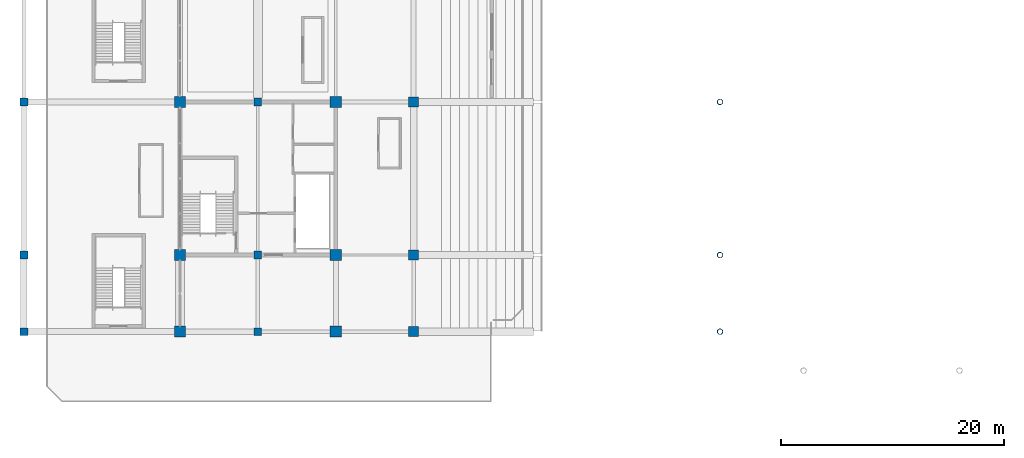
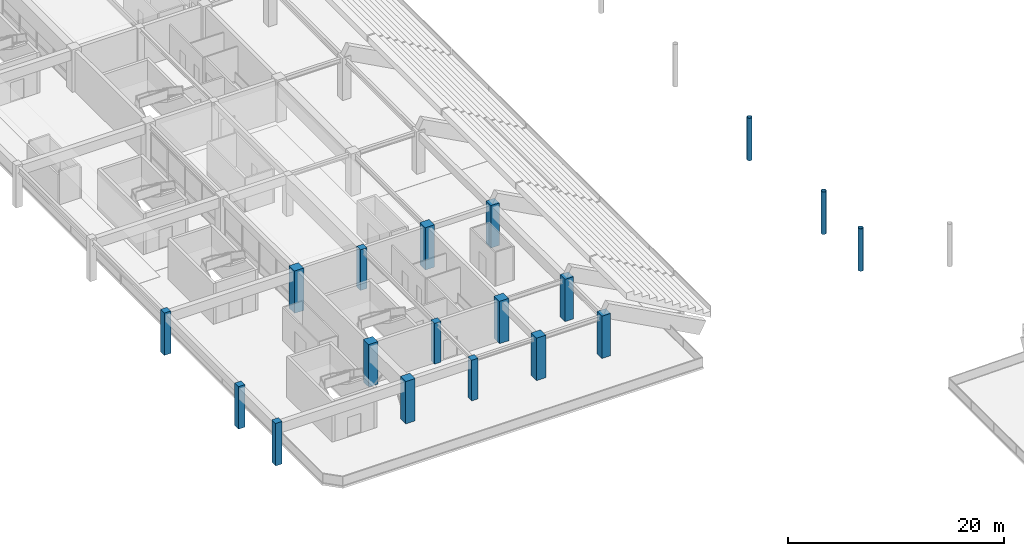
# One storey, part 1 of 94: 18 columns.
"""IFC4 building model written with IfcOpenShell, lengths in metres."""

from ifc_helpers import new_model, si_unit, direction, frame, origin, origin_2d, place, context, subcontext, project, spatial, rectangle, hollow_circle, extrude, material, material_profile, profile_set, type_object, element, save


model = new_model("IFC4")

# Units and contexts
model_context = context("Model", 3, precision=1e-05, world=origin(), true_north=direction((0.0, 1.0)))
body_context = subcontext(model_context, "Body", "Model", "MODEL_VIEW")
ifc_project = project(units=[si_unit("LENGTHUNIT", "METRE"), si_unit("AREAUNIT", "SQUARE_METRE"), si_unit("VOLUMEUNIT", "CUBIC_METRE"), si_unit("PLANEANGLEUNIT", "RADIAN"), si_unit("MASSUNIT", "GRAM", prefix="KILO")], contexts=[model_context])

# Site, building, storey
site_placement = place(None, origin())
site = spatial("IfcSite", under=ifc_project, at=site_placement, CompositionType="ELEMENT")
building_placement = place(site_placement, origin())
building = spatial("IfcBuilding", under=site, at=building_placement, Name="Linyun Crest Stadium", CompositionType="ELEMENT")
storey_placement = place(building_placement, frame((0.0, 0.0, 16.199951171875)))
storey = spatial("IfcBuildingStorey", under=building, at=storey_placement, Name="L04", CompositionType="ELEMENT", Elevation=16.199951171875)

# Columns
ifc_material_1 = material(Name="Concrete C50", Category="concrete")
ifc_material_profile_1 = material_profile(ifc_material_1, rectangle(XDim=0.699951171875, YDim=0.699951171875, at=origin_2d()), Name="RC 700x700")
ifc_profile_set_1 = profile_set([ifc_material_profile_1], Name="Concrete C50")
column_type_1 = type_object("IfcColumnType", Name="C02", PredefinedType="COLUMN", material=ifc_profile_set_1)
for number, where, z_axis, x_axis, name in (
    (1, (-98.0, -46.0, 0.0), (0.0, 0.0, 1.0), (1.0, 0.0, 0.0), "Column C02 L04 5"),
    (2, (-98.0, -39.125, 0.0), (0.0, 0.0, 1.0), (1.0, 0.0, 0.0), "Column C02 L04 11"),
    (3, (-98.0, -25.375, 0.0), (0.0, 0.0, 1.0), (1.0, 0.0, 0.0), "Column C02 L04 17"),
):
    element("IfcColumn", number, at=place(storey_placement, frame(where, z_axis=z_axis, x_axis=x_axis)), inside=storey, type_object=column_type_1, Name=name, PredefinedType="COLUMN", context=body_context, shape_type="SweptSolid", body=[
        extrude(rectangle(XDim=0.699951171875, YDim=0.699951171875, at=origin_2d()), origin(), (0.0, 0.0, 1.0), 4.798095703125),
    ])
for number, where, z_axis, x_axis, name in (
    (4, (-77.0, -46.0, 0.0), (0.0, 0.0, 1.0), (1.0, 0.0, 0.0), "Column C02 L04 109"),
    (5, (-77.0, -39.125, 0.0), (0.0, 0.0, 1.0), (1.0, 0.0, 0.0), "Column C02 L04 114"),
    (6, (-77.0, -25.375, 0.0), (0.0, 0.0, 1.0), (1.0, 0.0, 0.0), "Column C02 L04 119"),
):
    element("IfcColumn", number, at=place(storey_placement, frame(where, z_axis=z_axis, x_axis=x_axis)), inside=storey, type_object=column_type_1, Name=name, PredefinedType="COLUMN", context=body_context, shape_type="SweptSolid", body=[
        extrude(rectangle(XDim=0.699951171875, YDim=0.699951171875, at=origin_2d()), origin(), (0.0, 0.0, 1.0), 4.60009765625),
    ])
ifc_material_2 = material(Name="Concrete C50", Category="concrete")
ifc_material_profile_2 = material_profile(ifc_material_2, rectangle(XDim=0.89990234375, YDim=0.89990234375, at=origin_2d()), Name="RC 900x900")
ifc_profile_set_2 = profile_set([ifc_material_profile_2], Name="Concrete C50")
column_type_2 = type_object("IfcColumnType", Name="C04", PredefinedType="COLUMN", material=ifc_profile_set_2)
for number, where, z_axis, x_axis, name in (
    (7, (-63.0, -46.0, 0.0), (0.0, 0.0, 1.0), (1.0, 0.0, 0.0), "Column C04 L04 205"),
    (8, (-63.0, -39.125, 0.0), (0.0, 0.0, 1.0), (1.0, 0.0, 0.0), "Column C04 L04 210"),
    (9, (-63.0, -25.375, 0.0), (0.0, 0.0, 1.0), (1.0, 0.0, 0.0), "Column C04 L04 215"),
):
    element("IfcColumn", number, at=place(storey_placement, frame(where, z_axis=z_axis, x_axis=x_axis)), inside=storey, type_object=column_type_2, Name=name, PredefinedType="COLUMN", context=body_context, shape_type="SweptSolid", body=[
        extrude(rectangle(XDim=0.89990234375, YDim=0.89990234375, at=origin_2d()), origin(), (0.0, 0.0, 1.0), 4.800048828125),
    ])
ifc_material_3 = material(Name="Concrete C50", Category="concrete")
ifc_material_profile_3 = material_profile(ifc_material_3, rectangle(XDim=1.0, YDim=1.0, at=origin_2d()), Name="RC 1000x1000")
ifc_profile_set_3 = profile_set([ifc_material_profile_3], Name="Concrete C50")
column_type_3 = type_object("IfcColumnType", Name="C05", PredefinedType="COLUMN", material=ifc_profile_set_3)
for number, where, z_axis, x_axis, name in (
    (10, (-84.0, -46.0, 0.0), (0.0, 0.0, 1.0), (1.0, 0.0, 0.0), "Column C05 L04 53"),
    (11, (-84.0, -39.125, 0.0), (0.0, 0.0, 1.0), (1.0, 0.0, 0.0), "Column C05 L04 60"),
    (12, (-84.0, -25.375, 0.0), (0.0, 0.0, 1.0), (1.0, 0.0, 0.0), "Column C05 L04 67"),
    (13, (-70.0, -46.0, 0.0), (0.0, 0.0, 1.0), (1.0, 0.0, 0.0), "Column C05 L04 149"),
    (14, (-70.0, -39.125, 0.0), (0.0, 0.0, 1.0), (1.0, 0.0, 0.0), "Column C05 L04 156"),
    (15, (-70.0, -25.375, 0.0), (0.0, 0.0, 1.0), (1.0, 0.0, 0.0), "Column C05 L04 163"),
):
    element("IfcColumn", number, at=place(storey_placement, frame(where, z_axis=z_axis, x_axis=x_axis)), inside=storey, type_object=column_type_3, Name=name, PredefinedType="COLUMN", context=body_context, shape_type="SweptSolid", body=[
        extrude(rectangle(XDim=1.0, YDim=1.0, at=origin_2d()), origin(), (0.0, 0.0, 1.0), 4.798095703125),
    ])
ifc_material_4 = material(Name="Steel Q355C", Category="steel")
ifc_material_profile_4 = material_profile(ifc_material_4, hollow_circle(Radius=0.25390625, WallThickness=0.02490234375, at=origin_2d()), Name="CHS 508x25")
ifc_profile_set_4 = profile_set([ifc_material_profile_4], Name="Steel Q355C")
column_type_4 = type_object("IfcColumnType", Name="SC05", PredefinedType="COLUMN", material=ifc_profile_set_4)
for number, where, z_axis, x_axis, name in (
    (16, (-35.5, -46.0, 0.0), (0.0, 0.0, 1.0), (1.0, 0.0, 0.0), "Arch colonnade column SC05 L04 2"),
    (17, (-35.5, -39.125, 0.0), (0.0, 0.0, 1.0), (1.0, 0.0, 0.0), "Arch colonnade column SC05 L04 4"),
    (18, (-35.5, -25.375, 0.0), (0.0, 0.0, 1.0), (1.0, 0.0, 0.0), "Arch colonnade column SC05 L04 6"),
):
    element("IfcColumn", number, at=place(storey_placement, frame(where, z_axis=z_axis, x_axis=x_axis)), inside=storey, type_object=column_type_4, Name=name, PredefinedType="COLUMN", context=body_context, shape_type="SweptSolid", body=[
        extrude(hollow_circle(Radius=0.25390625, WallThickness=0.02490234375, at=origin_2d()), origin(), (0.0, 0.0, 1.0), 4.800048828125),
    ])

save(model, "model.ifc")
